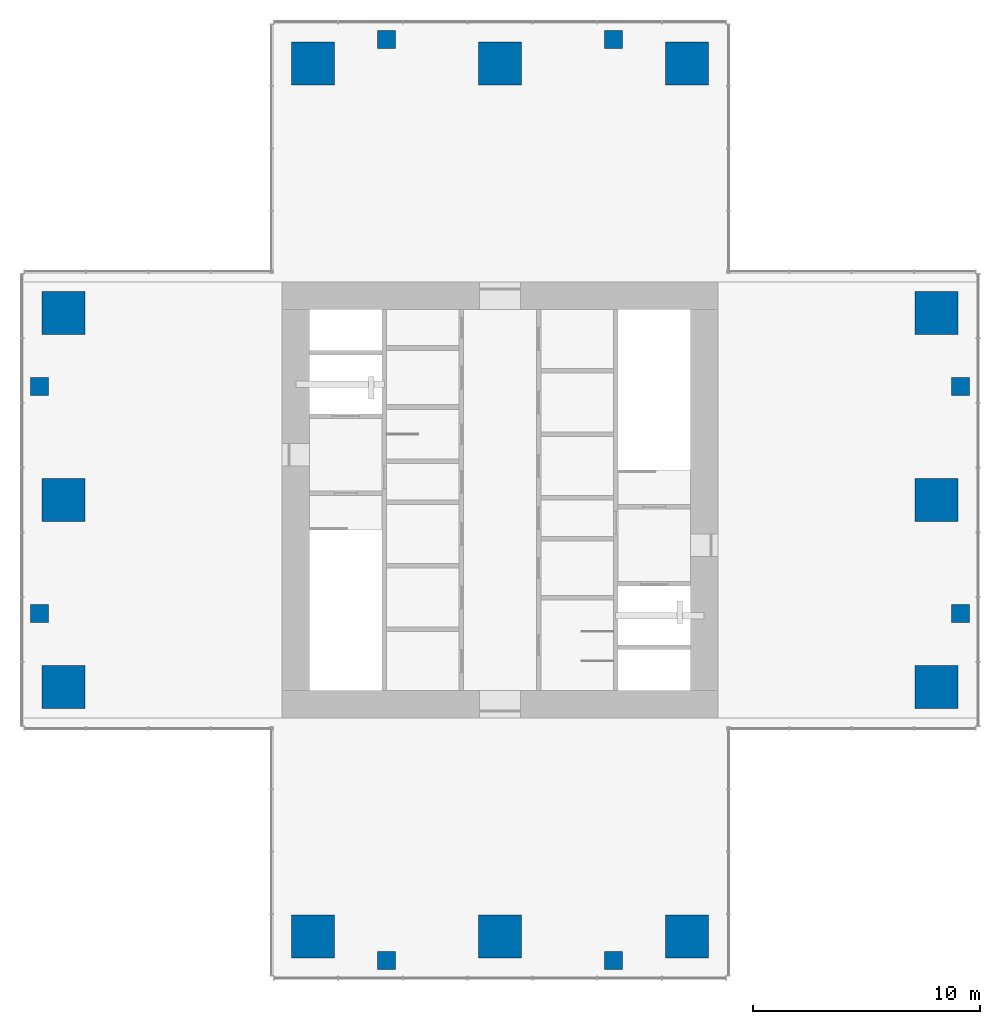
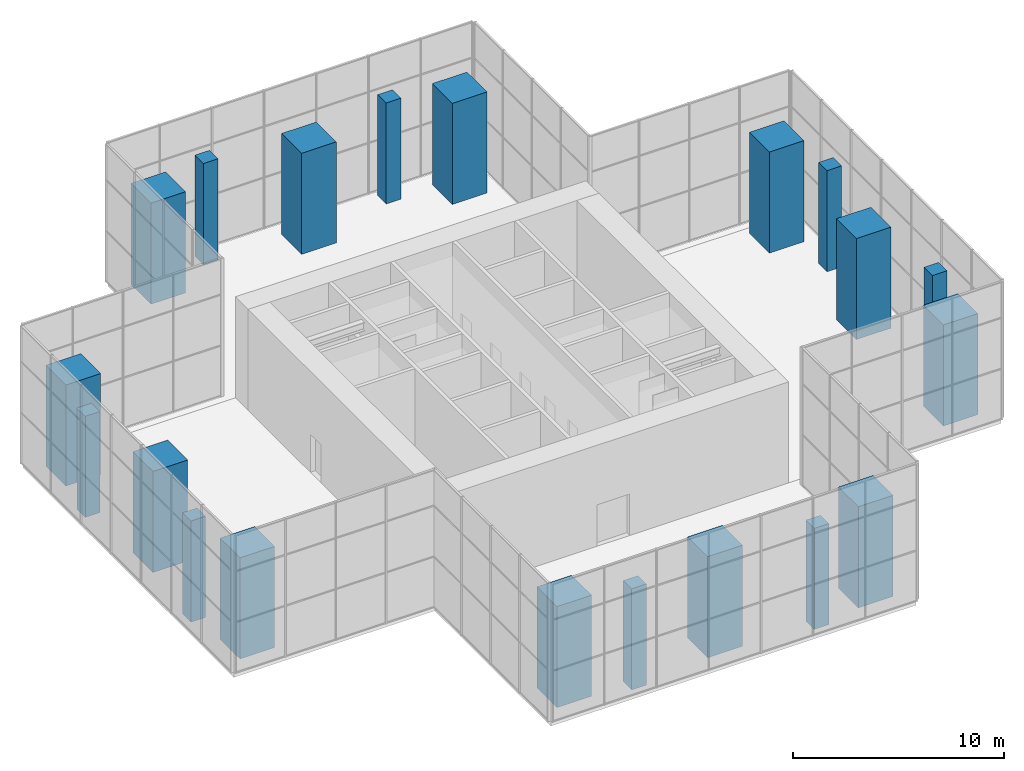
# One storey, part 1 of 12: 20 columns.
"""IFC4 building model written with IfcOpenShell, lengths in metres."""

from ifc_helpers import new_model, si_unit, direction, frame, origin, origin_2d, place, context, subcontext, project, spatial, rectangle, extrude, material, material_profile, profile_set, type_object, element, save


model = new_model("IFC4")

# Units and contexts
model_context = context("Model", 3, precision=1e-05, world=origin(), true_north=direction((0.0, 1.0)))
body_context = subcontext(model_context, "Body", "Model", "MODEL_VIEW")
ifc_project = project(units=[si_unit("LENGTHUNIT", "METRE"), si_unit("AREAUNIT", "SQUARE_METRE"), si_unit("VOLUMEUNIT", "CUBIC_METRE"), si_unit("PLANEANGLEUNIT", "RADIAN"), si_unit("MASSUNIT", "GRAM", prefix="KILO")], contexts=[model_context])

# Site, building, storey
site_placement = place(None, origin())
site = spatial("IfcSite", under=ifc_project, at=site_placement, CompositionType="ELEMENT")
building_placement = place(site_placement, origin())
building = spatial("IfcBuilding", under=site, at=building_placement, Name="Svetlomir Tower", CompositionType="ELEMENT")
storey_placement = place(building_placement, frame((0.0, 0.0, 283.89990234375)))
storey = spatial("IfcBuildingStorey", under=building, at=storey_placement, Name="L67", CompositionType="ELEMENT", Elevation=283.89990234375)

# Columns
ifc_material_1 = material(Name="Concrete C60/75", Category="concrete")
ifc_material_profile_1 = material_profile(ifc_material_1, rectangle(XDim=1.89990234375, YDim=1.89990234375, at=origin_2d()), Name="RC 1900x1900")
ifc_profile_set_1 = profile_set([ifc_material_profile_1], Name="Concrete C60/75")
column_type_1 = type_object("IfcColumnType", Name="COLUMN RC 1900x1900", PredefinedType="COLUMN", material=ifc_profile_set_1)
for number, where, z_axis, x_axis, name in (
    (1, (12.75, 1.75, 0.0), (0.0, 0.0, 1.0), (1.0, 0.0, 0.0), "Column 11/0 L67"),
    (2, (21.0, 1.75, 0.0), (0.0, 0.0, 1.0), (1.0, 0.0, 0.0), "Column 21/0 L67"),
    (3, (29.25, 1.75, 0.0), (0.0, 0.0, 1.0), (1.0, 0.0, 0.0), "Column 31/0 L67"),
    (4, (1.75, 12.75, 0.0), (0.0, 0.0, 1.0), (1.0, 0.0, 0.0), "Column 0/11 L67"),
    (5, (40.25, 12.75, 0.0), (0.0, 0.0, 1.0), (1.0, 0.0, 0.0), "Column 42/11 L67"),
    (6, (1.75, 21.0, 0.0), (0.0, 0.0, 1.0), (1.0, 0.0, 0.0), "Column 0/21 L67"),
    (7, (40.25, 21.0, 0.0), (0.0, 0.0, 1.0), (1.0, 0.0, 0.0), "Column 42/21 L67"),
    (8, (1.75, 29.25, 0.0), (0.0, 0.0, 1.0), (1.0, 0.0, 0.0), "Column 0/31 L67"),
    (9, (40.25, 29.25, 0.0), (0.0, 0.0, 1.0), (1.0, 0.0, 0.0), "Column 42/31 L67"),
    (10, (12.75, 40.25, 0.0), (0.0, 0.0, 1.0), (1.0, 0.0, 0.0), "Column 11/42 L67"),
    (11, (21.0, 40.25, 0.0), (0.0, 0.0, 1.0), (1.0, 0.0, 0.0), "Column 21/42 L67"),
    (12, (29.25, 40.25, 0.0), (0.0, 0.0, 1.0), (1.0, 0.0, 0.0), "Column 31/42 L67"),
):
    element("IfcColumn", number, at=place(storey_placement, frame(where, z_axis=z_axis, x_axis=x_axis)), inside=storey, type_object=column_type_1, Name=name, PredefinedType="COLUMN", context=body_context, shape_type="SweptSolid", body=[
        extrude(rectangle(XDim=1.89990234375, YDim=1.89990234375, at=origin_2d()), origin(), (0.0, 0.0, 1.0), 5.85009765625),
    ])
ifc_material_2 = material(Name="Concrete C60/75", Category="concrete")
ifc_material_profile_2 = material_profile(ifc_material_2, rectangle(XDim=0.800048828125, YDim=0.800048828125, at=origin_2d()), Name="RC 800x800")
ifc_profile_set_2 = profile_set([ifc_material_profile_2], Name="Concrete C60/75")
column_type_2 = type_object("IfcColumnType", Name="COLUMN RC 800x800", PredefinedType="COLUMN", material=ifc_profile_set_2)
for number, where, z_axis, x_axis, name in (
    (13, (16.0, 0.699951171875, 0.0), (0.0, 0.0, 1.0), (1.0, 0.0, 0.0), "Column 16/0 L67"),
    (14, (26.0, 0.699951171875, 0.0), (0.0, 0.0, 1.0), (1.0, 0.0, 0.0), "Column 26/0 L67"),
    (15, (0.699951171875, 16.0, 0.0), (0.0, 0.0, 1.0), (1.0, 0.0, 0.0), "Column 0/16 L67"),
    (16, (41.300048828125, 16.0, 0.0), (0.0, 0.0, 1.0), (1.0, 0.0, 0.0), "Column 42/16 L67"),
    (17, (0.699951171875, 26.0, 0.0), (0.0, 0.0, 1.0), (1.0, 0.0, 0.0), "Column 0/26 L67"),
    (18, (41.300048828125, 26.0, 0.0), (0.0, 0.0, 1.0), (1.0, 0.0, 0.0), "Column 42/26 L67"),
    (19, (16.0, 41.300048828125, 0.0), (0.0, 0.0, 1.0), (1.0, 0.0, 0.0), "Column 16/42 L67"),
    (20, (26.0, 41.300048828125, 0.0), (0.0, 0.0, 1.0), (1.0, 0.0, 0.0), "Column 26/42 L67"),
):
    element("IfcColumn", number, at=place(storey_placement, frame(where, z_axis=z_axis, x_axis=x_axis)), inside=storey, type_object=column_type_2, Name=name, PredefinedType="COLUMN", context=body_context, shape_type="SweptSolid", body=[
        extrude(rectangle(XDim=0.800048828125, YDim=0.800048828125, at=origin_2d()), origin(), (0.0, 0.0, 1.0), 5.85009765625),
    ])

save(model, "model.ifc")
